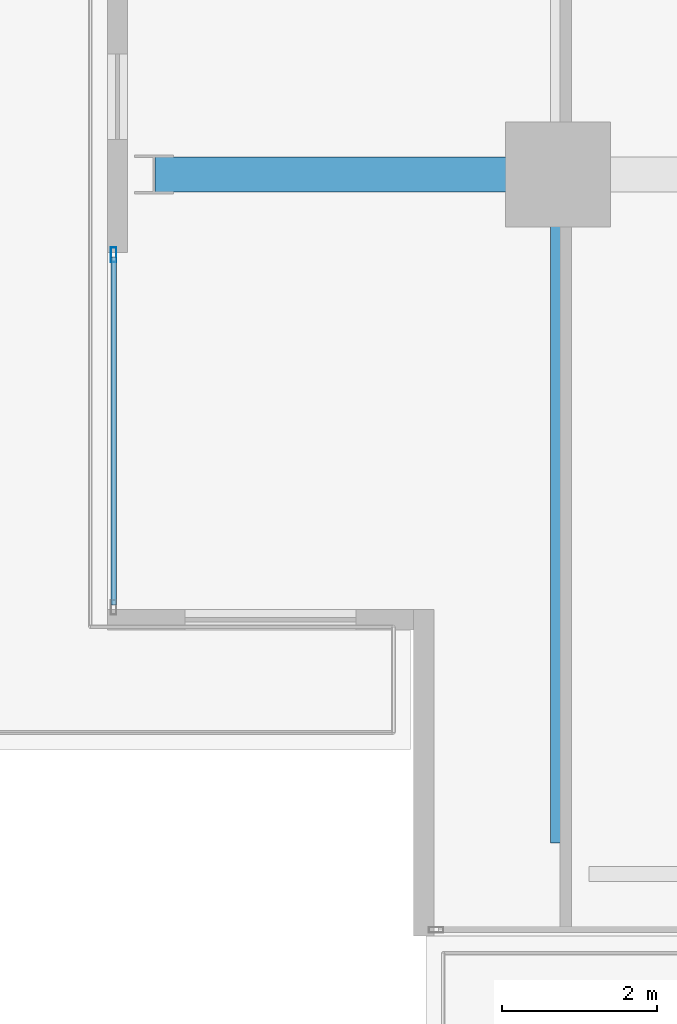
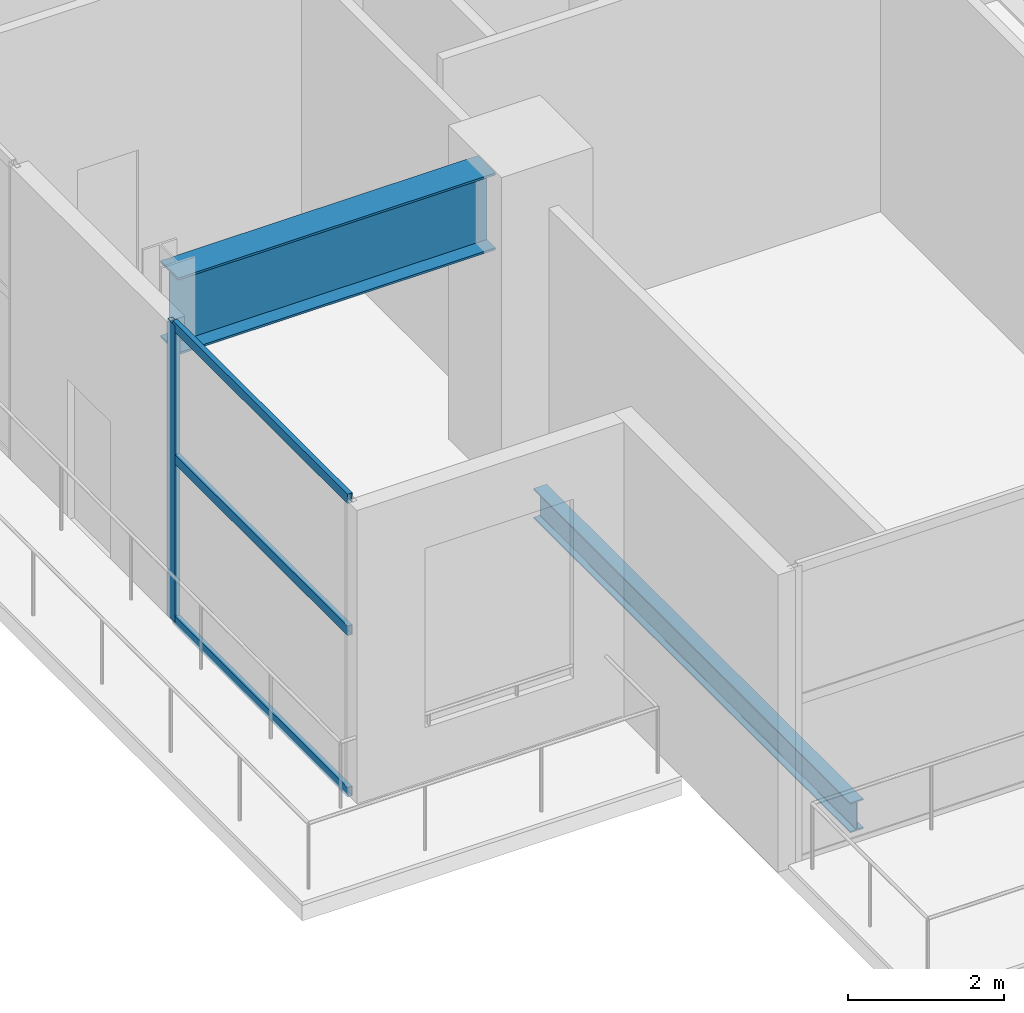
# One storey, part 3 of 22: 4 members, 2 beams, 1 element without a shape of its own.
"""IFC4 building model written with IfcOpenShell, lengths in metres."""

from ifc_helpers import new_model, si_unit, direction, frame, origin, origin_2d, place, context, subcontext, project, spatial, hollow_rectangle, i_section, extrude, material, layer, layer_set, material_profile, profile_set, type_object, element, aggregate, save


model = new_model("IFC4")

# Units and contexts
model_context = context("Model", 3, precision=1e-05, world=origin(), true_north=direction((0.0, 1.0)))
body_context = subcontext(model_context, "Body", "Model", "MODEL_VIEW")
ifc_project = project(units=[si_unit("LENGTHUNIT", "METRE"), si_unit("AREAUNIT", "SQUARE_METRE"), si_unit("VOLUMEUNIT", "CUBIC_METRE"), si_unit("PLANEANGLEUNIT", "RADIAN"), si_unit("MASSUNIT", "GRAM", prefix="KILO")], contexts=[model_context])

# Site, building, storey
site_placement = place(None, origin())
site = spatial("IfcSite", under=ifc_project, at=site_placement, CompositionType="ELEMENT")
building_placement = place(site_placement, origin())
building = spatial("IfcBuilding", under=site, at=building_placement, Name="Maruvema Waterfront Hotel and Observation Tower", CompositionType="ELEMENT")
storey_placement = place(building_placement, frame((0.0, 0.0, 354.199951171875)))
storey = spatial("IfcBuildingStorey", under=building, at=storey_placement, Name="L87", CompositionType="ELEMENT", Elevation=354.199951171875)

# Curtain wall, members
ifc_material_1 = material(Name="Anodised bronze aluminium and solar-control low-E IGU", Category="aluminium")
ifc_layer = layer(ifc_material_1, 0.159912109375, Name="Observation Crown Structural Glazed Curtain Wall System CW-06")
ifc_layer_set = layer_set([ifc_layer], Name="Anodised bronze aluminium and solar-control low-E IGU")
curtain_wall_type = type_object("IfcCurtainWallType", Name="Observation Crown Structural Glazed Curtain Wall System CW-06", PredefinedType="USERDEFINED", material=ifc_layer_set)
curtain_wall_placement = place(storey_placement, origin())
curtain_wall = element("IfcCurtainWall", 1, at=curtain_wall_placement, inside=storey, type_object=curtain_wall_type, Name="L87 Curtain Wall CW-L87-WS", ObjectType="UNITISED CURTAIN WALL", PredefinedType="USERDEFINED")
ifc_material_2 = material(Name="Anodised architectural bronze aluminium", Category="aluminium")
ifc_material_profile_1 = material_profile(ifc_material_2, hollow_rectangle(XDim=0.070068359375, YDim=0.14990234375, WallThickness=0.00390625, at=origin_2d()), Name="ALU-T70x150")
ifc_profile_set_1 = profile_set([ifc_material_profile_1], Name="Anodised architectural bronze aluminium")
member_type_1 = type_object("IfcMemberType", Name="Curtain Wall Horizontal Transom ALU-T70x150", PredefinedType="USERDEFINED", material=ifc_profile_set_1)
member_1_placement = place(storey_placement, frame((19.47998046875, 25.93994140625, 0.030029296875), z_axis=(0.0, -1.0, 0.0), x_axis=(1.0, 0.0, 0.0)))
member_1 = element("IfcMember", 2, at=member_1_placement, type_object=member_type_1, Name="CW-06 transom 1.1", ObjectType="TRANSOM", PredefinedType="USERDEFINED", context=body_context, shape_type="SweptSolid", body=[
    extrude(hollow_rectangle(XDim=0.070068359375, YDim=0.14990234375, WallThickness=0.00390625, at=origin_2d()), origin(), (0.0, 0.0, 1.0), 4.47998046875),
])
member_2_placement = place(storey_placement, frame((19.47998046875, 25.93994140625, 2.550048828125), z_axis=(0.0, -1.0, 0.0), x_axis=(1.0, 0.0, 0.0)))
member_2 = element("IfcMember", 3, at=member_2_placement, type_object=member_type_1, Name="CW-06 transom 1.2", ObjectType="TRANSOM", PredefinedType="USERDEFINED", context=body_context, shape_type="SweptSolid", body=[
    extrude(hollow_rectangle(XDim=0.070068359375, YDim=0.14990234375, WallThickness=0.00390625, at=origin_2d()), origin(), (0.0, 0.0, 1.0), 4.47998046875),
])
member_3_placement = place(storey_placement, frame((19.47998046875, 25.93994140625, 4.610107421875), z_axis=(0.0, -1.0, 0.0), x_axis=(1.0, 0.0, 0.0)))
member_3 = element("IfcMember", 4, at=member_3_placement, type_object=member_type_1, Name="CW-06 transom 1.3", ObjectType="TRANSOM", PredefinedType="USERDEFINED", context=body_context, shape_type="SweptSolid", body=[
    extrude(hollow_rectangle(XDim=0.070068359375, YDim=0.14990234375, WallThickness=0.00390625, at=origin_2d()), origin(), (0.0, 0.0, 1.0), 4.47998046875),
])
ifc_material_3 = material(Name="Anodised architectural bronze aluminium", Category="aluminium")
ifc_material_profile_2 = material_profile(ifc_material_3, hollow_rectangle(XDim=0.070068359375, YDim=0.18994140625, WallThickness=0.00390625, at=origin_2d()), Name="ALU-M70x190")
ifc_profile_set_2 = profile_set([ifc_material_profile_2], Name="Anodised architectural bronze aluminium")
member_type_2 = type_object("IfcMemberType", Name="Podium Storefront Heavy Mullion ALU-M70x190", PredefinedType="MULLION", material=ifc_profile_set_2)
member_4_placement = place(storey_placement, frame((19.47998046875, 25.969970703125, 0.0), z_axis=(0.0, 0.0, 1.0), x_axis=(1.0, 0.0, 0.0)))
member_4 = element("IfcMember", 5, at=member_4_placement, type_object=member_type_2, Name="CW-06 mullion 1", PredefinedType="MULLION", context=body_context, shape_type="SweptSolid", body=[
    extrude(hollow_rectangle(XDim=0.070068359375, YDim=0.18994140625, WallThickness=0.00390625, at=origin_2d()), origin(), (0.0, 0.0, 1.0), 4.64013671875),
])
aggregate(curtain_wall, [member_4, member_1, member_2, member_3])

# Beams
ifc_material_4 = material(Name="Steel ASTM A572 Grade 50", Category="steel")
ifc_material_profile_3 = material_profile(ifc_material_4, i_section(OverallWidth=0.194091796875, OverallDepth=0.468994140625, WebThickness=0.0126953125, FlangeThickness=0.0205078125, FilletRadius=0.014892578125, at=origin_2d()), Name="W460x106.0")
ifc_profile_set_3 = profile_set([ifc_material_profile_3], Name="Steel ASTM A572 Grade 50")
beam_type_1 = type_object("IfcBeamType", Name="Primary Floor Girder W460x106.0", PredefinedType="BEAM", material=ifc_profile_set_3)
beam_1_placement = place(storey_placement, frame((25.199951171875, 18.39990234375, -0.494384765625), z_axis=(0.0, 1.0, 0.0), x_axis=(-1.0, 0.0, 0.0)))
element("IfcBeam", 6, at=beam_1_placement, inside=storey, type_object=beam_type_1, Name="L87 Floor Girder NS-01", PredefinedType="BEAM", context=body_context, shape_type="SweptSolid", body=[
    extrude(i_section(OverallWidth=0.194091796875, OverallDepth=0.468994140625, WebThickness=0.0126953125, FlangeThickness=0.0205078125, FilletRadius=0.014892578125, at=origin_2d()), origin(), (0.0, 0.0, 1.0), 8.10009765625),
])
ifc_material_5 = material(Name="Steel ABNT NBR 7007 AR 415 (ASTM A572 Grade 50)", Category="steel")
ifc_material_profile_4 = material_profile(ifc_material_5, i_section(OverallWidth=0.449951171875, OverallDepth=1.199951171875, WebThickness=0.01904296875, FlangeThickness=0.031982421875, at=origin_2d()), Name="VS1200x366")
ifc_profile_set_4 = profile_set([ifc_material_profile_4], Name="Steel ABNT NBR 7007 AR 415 (ASTM A572 Grade 50)")
beam_type_2 = type_object("IfcBeamType", Name="Upper Setback Transfer Girder VS1200x366", PredefinedType="USERDEFINED", material=ifc_profile_set_4)
beam_2_placement = place(storey_placement, frame((20.010986328125, 27.0, 4.0400390625), z_axis=(1.0, 0.0, 0.0), x_axis=(0.0, 1.0, 0.0)))
element("IfcBeam", 7, at=beam_2_placement, inside=storey, type_object=beam_type_2, Name="L87 Upper Setback Transfer Girder W Y=27.0m", ObjectType="TRANSFER GIRDER", PredefinedType="USERDEFINED", context=body_context, shape_type="SweptSolid", body=[
    extrude(i_section(OverallWidth=0.449951171875, OverallDepth=1.199951171875, WebThickness=0.01904296875, FlangeThickness=0.031982421875, at=origin_2d()), origin(), (0.0, 0.0, 1.0), 4.68896484375),
])

save(model, "model.ifc")
